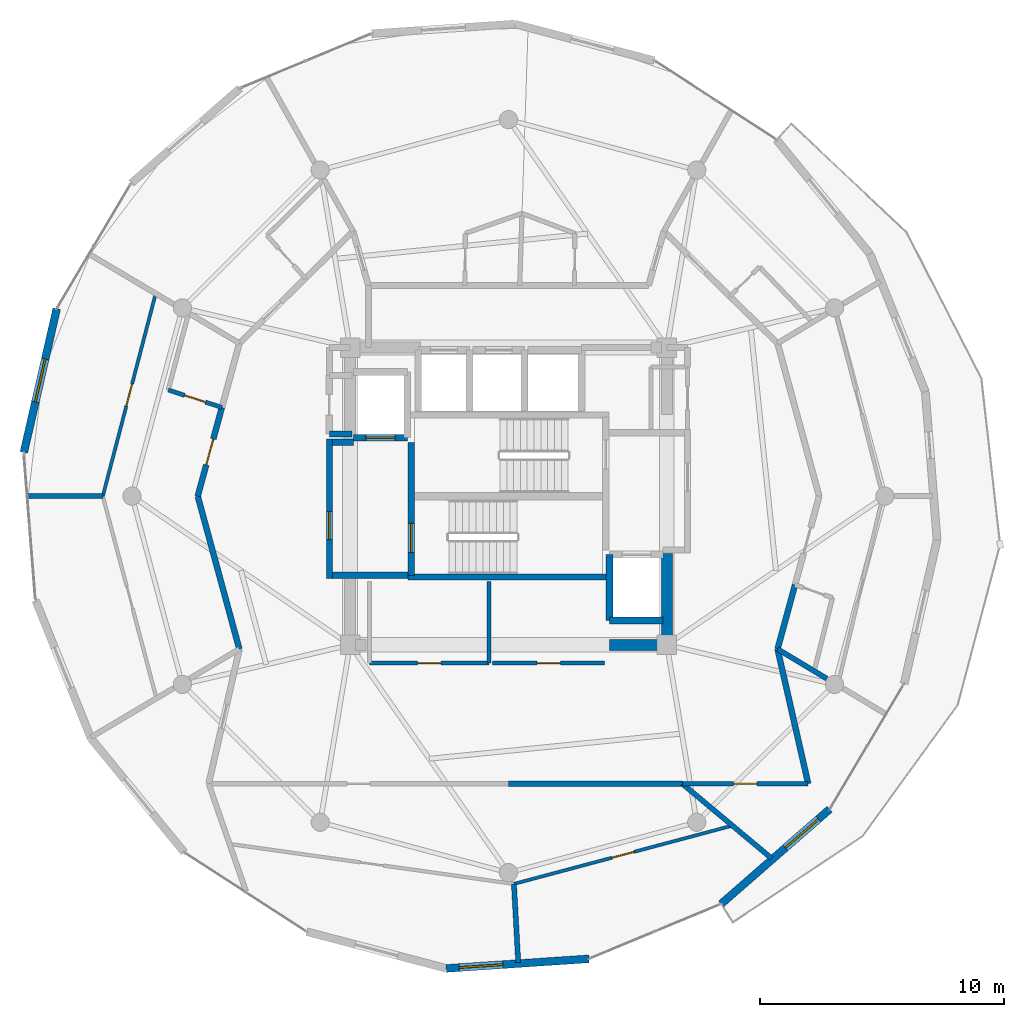
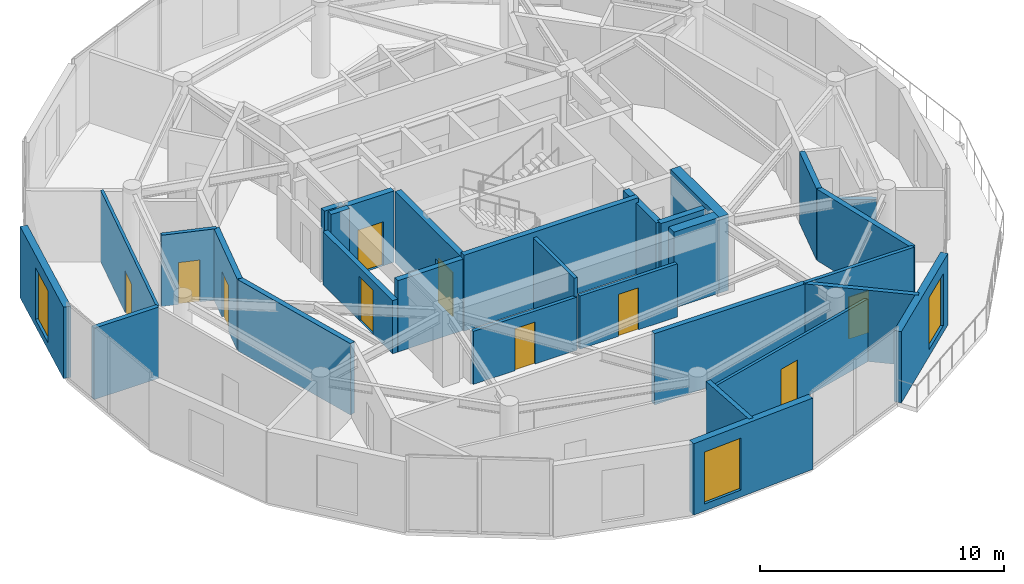
# One storey, part 17 of 22: 30 walls, 10 doors, 3 windows, 13 openings.
"""IFC4 building model written with IfcOpenShell, lengths in metres."""

from ifc_helpers import new_model, si_unit, direction, frame, frame_2d, origin, place, context, subcontext, project, spatial, rectangle, extrude, material, layer, layer_set, type_object, element, fill, save


model = new_model("IFC4")

# Units and contexts
model_context = context("Model", 3, precision=1e-05, world=origin(), true_north=direction((0.0, 1.0)))
body_context = subcontext(model_context, "Body", "Model", "MODEL_VIEW")
ifc_project = project(units=[si_unit("LENGTHUNIT", "METRE"), si_unit("AREAUNIT", "SQUARE_METRE"), si_unit("VOLUMEUNIT", "CUBIC_METRE"), si_unit("PLANEANGLEUNIT", "RADIAN"), si_unit("MASSUNIT", "GRAM", prefix="KILO")], contexts=[model_context])

# Site, building, storey
site_placement = place(None, origin())
site = spatial("IfcSite", under=ifc_project, at=site_placement, CompositionType="ELEMENT")
building_placement = place(site_placement, origin())
building = spatial("IfcBuilding", under=site, at=building_placement, Name="Solvirekh Grand Hotel", CompositionType="ELEMENT")
storey_placement = place(building_placement, frame((0.0, 0.0, 243.0)))
storey = spatial("IfcBuildingStorey", under=building, at=storey_placement, Name="L63", CompositionType="ELEMENT", Elevation=243.0)

# Wall
ifc_material_1 = material(Name="Concrete C50/60", Category="concrete")
ifc_layer_1 = layer(ifc_material_1, 0.35009765625)
ifc_layer_set_1 = layer_set([ifc_layer_1], Name="Concrete C50/60")
wall_type_1 = type_object("IfcWallType", Name="CoreDivWall_RC350", PredefinedType="SOLIDWALL", material=ifc_layer_set_1)
wall_1_placement = place(storey_placement, frame((-4.1298828125, -3.324951171875, 0.0), z_axis=(0.0, 0.0, 1.0), x_axis=(1.0, 0.0, 0.0)))
element("IfcWall", 1, at=wall_1_placement, inside=storey, type_object=wall_type_1, Name="L63 core stair box wall ST-S", PredefinedType="SOLIDWALL", context=body_context, shape_type="SweptSolid", body=[
    extrude(rectangle(XDim=8.259765625, YDim=0.25, at=frame_2d((4.1298828125, 0.0))), origin(), (0.0, 0.0, 1.0), 3.800048828125),
])

# Wall, opening, door
ifc_material_2 = material(Name="Concrete C40/50", Category="concrete")
ifc_layer_2 = layer(ifc_material_2, 0.280029296875)
ifc_layer_set_2 = layer_set([ifc_layer_2], Name="Concrete C40/50")
wall_type_2 = type_object("IfcWallType", Name="CoreShaftWall_RC280", PredefinedType="SOLIDWALL", material=ifc_layer_set_2)
wall_2_placement = place(storey_placement, frame((-6.35009765625, 2.39990234375, 0.0), z_axis=(0.0, 0.0, 1.0), x_axis=(1.0, 0.0, 0.0)))
wall_2 = element("IfcWall", 2, at=wall_2_placement, inside=storey, type_object=wall_type_2, Name="L63 FL-1 hoistway S wall", PredefinedType="SOLIDWALL", context=body_context, shape_type="SweptSolid", body=[
    extrude(rectangle(XDim=2.2001953125, YDim=0.280029296875, at=frame_2d((1.10009765625, 0.0))), origin(), (0.0, 0.0, 1.0), 3.570068359375),
])
opening_1_placement = place(wall_2_placement, frame((0.5, 0.0, 0.0)))
opening_1 = element("IfcOpeningElement", 3, at=opening_1_placement, cuts=wall_2, Name="Opening LD02", PredefinedType="OPENING", context=body_context, shape_type="SweptSolid", body=[
    extrude(rectangle(XDim=1.199951171875, YDim=2.199951171875, at=frame_2d((0.60009765625, 1.10009765625))), frame((0.0, 0.14990234375, 0.0), z_axis=(0.0, -1.0, 0.0), x_axis=(1.0, 0.0, 0.0)), (0.0, 0.0, 1.0), 0.300048828125),
])
ifc_material_3 = material(Name="Fire-Rated Steel Door Assembly", Category="steel")
door_type_1 = type_object("IfcDoorType", Name="Door_LiftFF_1200X2200", OperationType="SLIDING_TO_LEFT", PredefinedType="DOOR", material=ifc_material_3)
door_1_placement = place(opening_1_placement, origin())
door_1 = element("IfcDoor", 4, at=door_1_placement, inside=storey, type_object=door_type_1, Name="L63 FL-1 sliding lift landing door", OperationType="SLIDING_TO_LEFT", OverallHeight=2.199951171875, OverallWidth=1.199951171875, PredefinedType="DOOR", context=body_context, shape_type="SweptSolid", body=[
    extrude(rectangle(XDim=1.199951171875, YDim=2.199951171875, at=frame_2d((0.60009765625, 1.10009765625))), frame((0.0, 0.02490234375, 0.0), z_axis=(0.0, -1.0, 0.0), x_axis=(1.0, 0.0, 0.0)), (0.0, 0.0, 1.0), 0.050048828125),
])
fill(opening_1, door_1)

# Walls
wall_3_placement = place(storey_placement, frame((4.14990234375, -5.10009765625, 0.0), z_axis=(0.0, 0.0, 1.0), x_axis=(1.0, 0.0, 0.0)))
element("IfcWall", 5, at=wall_3_placement, inside=storey, type_object=wall_type_2, Name="L63 FL-2 hoistway S wall", PredefinedType="SOLIDWALL", context=body_context, shape_type="SweptSolid", body=[
    extrude(rectangle(XDim=2.2001953125, YDim=0.280029296875, at=frame_2d((1.10009765625, 0.0))), origin(), (0.0, 0.0, 1.0), 3.570068359375),
])
wall_4_placement = place(storey_placement, frame((4.14990234375, -2.39990234375, 0.0), z_axis=(0.0, 0.0, 1.0), x_axis=(0.0, -1.0, 0.0)))
element("IfcWall", 6, at=wall_4_placement, inside=storey, type_object=wall_type_2, Name="L63 FL-2 hoistway W wall", PredefinedType="SOLIDWALL", context=body_context, shape_type="SweptSolid", body=[
    extrude(rectangle(XDim=2.7001953125, YDim=0.280029296875, at=frame_2d((1.35009765625, 0.0))), origin(), (0.0, 0.0, 1.0), 3.570068359375),
])

# Wall, opening, door
wall_5_placement = place(storey_placement, frame((-3.989990234375, -3.25, 0.0), z_axis=(0.0, 0.0, 1.0), x_axis=(0.0, 1.0, 0.0)))
wall_5 = element("IfcWall", 7, at=wall_5_placement, inside=storey, type_object=wall_type_2, Name="L63 west stair landing enclosure wall", PredefinedType="SOLIDWALL", context=body_context, shape_type="SweptSolid", body=[
    extrude(rectangle(XDim=5.4599609375, YDim=0.280029296875, at=frame_2d((2.72998046875, 0.0))), origin(), (0.0, 0.0, 1.0), 3.570068359375),
])
opening_2_placement = place(wall_5_placement, frame((0.93701171875, 0.0, 0.0)))
opening_2 = element("IfcOpeningElement", 8, at=opening_2_placement, cuts=wall_5, Name="Opening D05", PredefinedType="OPENING", context=body_context, shape_type="SweptSolid", body=[
    extrude(rectangle(XDim=1.199951171875, YDim=2.199951171875, at=frame_2d((0.60009765625, 1.10009765625))), frame((0.0, 0.14990234375, 0.0), z_axis=(0.0, -1.0, 0.0), x_axis=(1.0, 0.0, 0.0)), (0.0, 0.0, 1.0), 0.300048828125),
])
door_type_2 = type_object("IfcDoorType", Name="Door_StairCore_1200X2200", OperationType="NOTDEFINED", PredefinedType="DOOR", material=ifc_material_3)
door_2_placement = place(opening_2_placement, origin())
door_2 = element("IfcDoor", 9, at=door_2_placement, inside=storey, type_object=door_type_2, Name="L63 exit stair ST-1 fire door", OperationType="SINGLE_SWING_LEFT", OverallHeight=2.199951171875, OverallWidth=1.199951171875, PredefinedType="DOOR", context=body_context, shape_type="SweptSolid", body=[
    extrude(rectangle(XDim=1.199951171875, YDim=2.199951171875, at=frame_2d((0.60009765625, 1.10009765625))), frame((0.0, 0.02490234375, 0.0), z_axis=(0.0, -1.0, 0.0), x_axis=(1.0, 0.0, 0.0)), (0.0, 0.0, 1.0), 0.050048828125),
])
fill(opening_2, door_2)

# Walls
ifc_layer_3 = layer(ifc_material_1, 0.449951171875)
ifc_layer_set_3 = layer_set([ifc_layer_3], Name="Concrete C50/60")
wall_type_3 = type_object("IfcWallType", Name="CoreWall_RC450", PredefinedType="SHEAR", material=ifc_layer_set_3)
wall_6_placement = place(storey_placement, frame((4.14990234375, -6.10009765625, 0.0), z_axis=(0.0, 0.0, 1.0), x_axis=(1.0, 0.0, 0.0)))
element("IfcWall", 10, at=wall_6_placement, inside=storey, type_object=wall_type_3, Name="L63 core corner shear wall SE-S", PredefinedType="SHEAR", context=body_context, shape_type="SweptSolid", body=[
    extrude(rectangle(XDim=2.125, YDim=0.449951171875, at=frame_2d((1.0625, 0.0))), origin(), (0.0, 0.0, 1.0), 3.800048828125),
])
wall_7_placement = place(storey_placement, frame((6.5, -6.324951171875, 0.0), z_axis=(0.0, 0.0, 1.0), x_axis=(0.0, 1.0, 0.0)))
element("IfcWall", 11, at=wall_7_placement, inside=storey, type_object=wall_type_3, Name="L63 core corner shear wall ES-E", PredefinedType="SHEAR", context=body_context, shape_type="SweptSolid", body=[
    extrude(rectangle(XDim=3.974853515625, YDim=0.449951171875, at=frame_2d((1.9873046875, 0.0))), origin(), (0.0, 0.0, 1.0), 3.800048828125),
])

# Wall, opening, window
ifc_material_4 = material(Name="Precast concrete C45/55", Category="concrete")
ifc_layer_4 = layer(ifc_material_4, 0.320068359375)
ifc_layer_set_4 = layer_set([ifc_layer_4], Name="Precast concrete C45/55")
wall_type_4 = type_object("IfcWallType", Name="ExtLobbyWall_RC320", PredefinedType="SOLIDWALL", material=ifc_layer_set_4)
wall_8_placement = place(storey_placement, frame((13.181884765625, -12.842041015625, 0.0), z_axis=(0.0, 0.0, 1.0), x_axis=(-0.753243589512, -0.657741662706, 0.0)))
wall_8 = element("IfcWall", 12, at=wall_8_placement, inside=storey, type_object=wall_type_4, Name="L63 exterior structural wall chord 2", PredefinedType="SOLIDWALL", context=body_context, shape_type="SweptSolid", body=[
    extrude(rectangle(XDim=5.91552734375, YDim=0.320068359375, at=frame_2d((2.957763671875, 0.0))), origin(), (0.0, 0.0, 1.0), 3.570068359375),
])
opening_3_placement = place(wall_8_placement, frame((0.612060546875, 0.0, 0.35009765625)))
opening_3 = element("IfcOpeningElement", 13, at=opening_3_placement, cuts=wall_8, Name="Opening W02", PredefinedType="OPENING", context=body_context, shape_type="SweptSolid", body=[
    extrude(rectangle(XDim=1.800048828125, YDim=2.60009765625, at=frame_2d((0.89990234375, 1.300048828125))), frame((0.0, 0.169921875, 0.0), z_axis=(0.0, -1.0, 0.0), x_axis=(1.0, 0.0, 0.0)), (0.0, 0.0, 1.0), 0.340087890625),
])
ifc_material_5 = material(Name="Low-E Tinted Bronze Laminated Glass", Category="aluminium")
window_type = type_object("IfcWindowType", Name="Win_LobbyExt_1800X2600", PartitioningType="SINGLE_PANEL", PredefinedType="WINDOW", material=ifc_material_5)
window_1_placement = place(opening_3_placement, origin())
window_1 = element("IfcWindow", 14, at=window_1_placement, inside=storey, type_object=window_type, Name="L63 panoramic bronze-framed window 2", OverallHeight=2.60009765625, OverallWidth=1.800048828125, PartitioningType="SINGLE_PANEL", PredefinedType="WINDOW", context=body_context, shape_type="SweptSolid", body=[
    extrude(rectangle(XDim=1.800048828125, YDim=2.60009765625, at=frame_2d((0.89990234375, 1.300048828125))), frame((0.0, 0.030029296875, 0.0), z_axis=(0.0, -1.0, 0.0), x_axis=(1.0, 0.0, 0.0)), (0.0, 0.0, 1.0), 0.06005859375),
])
fill(opening_3, window_1)

wall_9_placement = place(storey_placement, frame((-19.886962890625, 1.794921875, 0.0), z_axis=(0.0, 0.0, 1.0), x_axis=(0.223212485592, 0.974769811943, 0.0)))
wall_9 = element("IfcWall", 15, at=wall_9_placement, inside=storey, type_object=wall_type_4, Name="L63 exterior structural wall chord 14", PredefinedType="SOLIDWALL", context=body_context, shape_type="SweptSolid", body=[
    extrude(rectangle(XDim=6.052978515625, YDim=0.320068359375, at=frame_2d((3.0263671875, 0.0))), origin(), (0.0, 0.0, 1.0), 3.570068359375),
])
opening_4_placement = place(wall_9_placement, frame((2.1259765625, 0.0, 0.35009765625)))
opening_4 = element("IfcOpeningElement", 16, at=opening_4_placement, cuts=wall_9, Name="Opening W02", PredefinedType="OPENING", context=body_context, shape_type="SweptSolid", body=[
    extrude(rectangle(XDim=1.800048828125, YDim=2.60009765625, at=frame_2d((0.89990234375, 1.300048828125))), frame((0.0, 0.169921875, 0.0), z_axis=(0.0, -1.0, 0.0), x_axis=(1.0, 0.0, 0.0)), (0.0, 0.0, 1.0), 0.340087890625),
])
window_2_placement = place(opening_4_placement, origin())
window_2 = element("IfcWindow", 17, at=window_2_placement, inside=storey, type_object=window_type, Name="L63 panoramic bronze-framed window 14", OverallHeight=2.60009765625, OverallWidth=1.800048828125, PartitioningType="SINGLE_PANEL", PredefinedType="WINDOW", context=body_context, shape_type="SweptSolid", body=[
    extrude(rectangle(XDim=1.800048828125, YDim=2.60009765625, at=frame_2d((0.89990234375, 1.300048828125))), frame((0.0, 0.030029296875, 0.0), z_axis=(0.0, -1.0, 0.0), x_axis=(1.0, 0.0, 0.0)), (0.0, 0.0, 1.0), 0.06005859375),
])
fill(opening_4, window_2)

wall_10_placement = place(storey_placement, frame((3.302978515625, -18.985107421875, 0.0), z_axis=(0.0, 0.0, 1.0), x_axis=(-0.997748768453, -0.067062620365, 0.0)))
wall_10 = element("IfcWall", 18, at=wall_10_placement, inside=storey, type_object=wall_type_4, Name="L63 exterior structural wall chord 20", PredefinedType="SOLIDWALL", context=body_context, shape_type="SweptSolid", body=[
    extrude(rectangle(XDim=5.8720703125, YDim=0.320068359375, at=frame_2d((2.93603515625, 0.0))), origin(), (0.0, 0.0, 1.0), 3.570068359375),
])
opening_5_placement = place(wall_10_placement, frame((3.5390625, 0.0, 0.35009765625)))
opening_5 = element("IfcOpeningElement", 19, at=opening_5_placement, cuts=wall_10, Name="Opening W02", PredefinedType="OPENING", context=body_context, shape_type="SweptSolid", body=[
    extrude(rectangle(XDim=1.800048828125, YDim=2.60009765625, at=frame_2d((0.89990234375, 1.300048828125))), frame((0.0, 0.169921875, 0.0), z_axis=(0.0, -1.0, 0.0), x_axis=(1.0, 0.0, 0.0)), (0.0, 0.0, 1.0), 0.340087890625),
])
window_3_placement = place(opening_5_placement, origin())
window_3 = element("IfcWindow", 20, at=window_3_placement, inside=storey, type_object=window_type, Name="L63 panoramic bronze-framed window 20", OverallHeight=2.60009765625, OverallWidth=1.800048828125, PartitioningType="SINGLE_PANEL", PredefinedType="WINDOW", context=body_context, shape_type="SweptSolid", body=[
    extrude(rectangle(XDim=1.800048828125, YDim=2.60009765625, at=frame_2d((0.89990234375, 1.300048828125))), frame((0.0, 0.030029296875, 0.0), z_axis=(0.0, -1.0, 0.0), x_axis=(1.0, 0.0, 0.0)), (0.0, 0.0, 1.0), 0.06005859375),
])
fill(opening_5, window_3)

# Wall, opening, door
ifc_material_6 = material(Name="Acoustic Gypsum Partition Assembly")
ifc_layer_5 = layer(ifc_material_6, 0.1650390625)
ifc_layer_set_5 = layer_set([ifc_layer_5], Name="Acoustic Gypsum Partition Assembly")
wall_type_5 = type_object("IfcWallType", Name="Part_BOH_165", PredefinedType="PARTITIONING", material=ifc_layer_set_5)
wall_11_placement = place(storey_placement, frame((-5.699951171875, -6.85009765625, 0.0), z_axis=(0.0, 0.0, 1.0), x_axis=(1.0, 0.0, 0.0)))
wall_11 = element("IfcWall", 21, at=wall_11_placement, inside=storey, type_object=wall_type_5, Name="L63 High-Zone Housekeeping Linen Room wall 1", PredefinedType="PARTITIONING", context=body_context, shape_type="SweptSolid", body=[
    extrude(rectangle(XDim=4.89990234375, YDim=0.1650390625, at=frame_2d((2.449951171875, 0.0))), origin(), (0.0, 0.0, 1.0), 2.655029296875),
])
opening_6_placement = place(wall_11_placement, frame((1.97509765625, 0.0, 0.0)))
opening_6 = element("IfcOpeningElement", 22, at=opening_6_placement, cuts=wall_11, Name="Opening D10", PredefinedType="OPENING", context=body_context, shape_type="SweptSolid", body=[
    extrude(rectangle(XDim=0.949951171875, YDim=2.10009765625, at=frame_2d((0.47509765625, 1.050048828125))), frame((0.0, 0.092529296875, 0.0), z_axis=(0.0, -1.0, 0.0), x_axis=(1.0, 0.0, 0.0)), (0.0, 0.0, 1.0), 0.18505859375),
])
ifc_material_7 = material(Name="Anodized Bronze Aluminium 6063-T6", Category="aluminium")
door_type_3 = type_object("IfcDoorType", Name="Door_RoomInt_950X2100", OperationType="NOTDEFINED", PredefinedType="DOOR", material=ifc_material_7)
door_3_placement = place(opening_6_placement, origin())
door_3 = element("IfcDoor", 23, at=door_3_placement, inside=storey, type_object=door_type_3, Name="L63 High-Zone Housekeeping Linen Room door", OperationType="SINGLE_SWING_LEFT", OverallHeight=2.10009765625, OverallWidth=0.949951171875, PredefinedType="DOOR", context=body_context, shape_type="SweptSolid", body=[
    extrude(rectangle(XDim=0.949951171875, YDim=2.10009765625, at=frame_2d((0.47509765625, 1.050048828125))), frame((0.0, 0.02490234375, 0.0), z_axis=(0.0, -1.0, 0.0), x_axis=(1.0, 0.0, 0.0)), (0.0, 0.0, 1.0), 0.050048828125),
])
fill(opening_6, door_3)

# Wall
wall_12_placement = place(storey_placement, frame((-0.800048828125, -6.85009765625, 0.0), z_axis=(0.0, 0.0, 1.0), x_axis=(0.0, 1.0, 0.0)))
element("IfcWall", 24, at=wall_12_placement, inside=storey, type_object=wall_type_5, Name="L63 High-Zone Housekeeping Linen Room wall 2", PredefinedType="PARTITIONING", context=body_context, shape_type="SweptSolid", body=[
    extrude(rectangle(XDim=3.35009765625, YDim=0.1650390625, at=frame_2d((1.675048828125, 0.0))), origin(), (0.0, 0.0, 1.0), 3.570068359375),
])

# Wall, opening, door
wall_13_placement = place(storey_placement, frame((-0.64990234375, -6.85009765625, 0.0), z_axis=(0.0, 0.0, 1.0), x_axis=(1.0, 0.0, 0.0)))
wall_13 = element("IfcWall", 25, at=wall_13_placement, inside=storey, type_object=wall_type_5, Name="L63 Butler Valet Steward Room wall 1", PredefinedType="PARTITIONING", context=body_context, shape_type="SweptSolid", body=[
    extrude(rectangle(XDim=4.599853515625, YDim=0.1650390625, at=frame_2d((2.2998046875, 0.0))), origin(), (0.0, 0.0, 1.0), 2.655029296875),
])
opening_7_placement = place(wall_13_placement, frame((1.824951171875, 0.0, 0.0)))
opening_7 = element("IfcOpeningElement", 26, at=opening_7_placement, cuts=wall_13, Name="Opening D10", PredefinedType="OPENING", context=body_context, shape_type="SweptSolid", body=[
    extrude(rectangle(XDim=0.949951171875, YDim=2.10009765625, at=frame_2d((0.47509765625, 1.050048828125))), frame((0.0, 0.092529296875, 0.0), z_axis=(0.0, -1.0, 0.0), x_axis=(1.0, 0.0, 0.0)), (0.0, 0.0, 1.0), 0.18505859375),
])
door_4_placement = place(opening_7_placement, origin())
door_4 = element("IfcDoor", 27, at=door_4_placement, inside=storey, type_object=door_type_3, Name="L63 Butler Valet Steward Room door", OperationType="SINGLE_SWING_RIGHT", OverallHeight=2.10009765625, OverallWidth=0.949951171875, PredefinedType="DOOR", context=body_context, shape_type="SweptSolid", body=[
    extrude(rectangle(XDim=0.949951171875, YDim=2.10009765625, at=frame_2d((0.47509765625, 1.050048828125))), frame((0.0, 0.02490234375, 0.0), z_axis=(0.0, -1.0, 0.0), x_axis=(1.0, 0.0, 0.0)), (0.0, 0.0, 1.0), 0.050048828125),
])
fill(opening_7, door_4)

wall_14_placement = place(storey_placement, frame((7.134033203125, -11.800048828125, 0.0), z_axis=(0.0, 0.0, 1.0), x_axis=(1.0, 0.0, 0.0)))
wall_14 = element("IfcWall", 28, at=wall_14_placement, inside=storey, type_object=wall_type_5, Name="L63 L63 Butler Valet & Linen Steward Room entrance wall", PredefinedType="PARTITIONING", context=body_context, shape_type="SweptSolid", body=[
    extrude(rectangle(XDim=5.166015625, YDim=0.1650390625, at=frame_2d((2.5830078125, 0.0))), origin(), (0.0, 0.0, 1.0), 3.570068359375),
])
opening_8_placement = place(wall_14_placement, frame((2.10791015625, 0.0, 0.0)))
opening_8 = element("IfcOpeningElement", 29, at=opening_8_placement, cuts=wall_14, Name="Opening D10", PredefinedType="OPENING", context=body_context, shape_type="SweptSolid", body=[
    extrude(rectangle(XDim=0.949951171875, YDim=2.10009765625, at=frame_2d((0.47509765625, 1.050048828125))), frame((0.0, 0.092529296875, 0.0), z_axis=(0.0, -1.0, 0.0), x_axis=(1.0, 0.0, 0.0)), (0.0, 0.0, 1.0), 0.18505859375),
])
door_5_placement = place(opening_8_placement, origin())
door_5 = element("IfcDoor", 30, at=door_5_placement, inside=storey, type_object=door_type_3, Name="L63 L63 Butler Valet & Linen Steward Room entrance door", OperationType="SINGLE_SWING_LEFT", OverallHeight=2.10009765625, OverallWidth=0.949951171875, PredefinedType="DOOR", context=body_context, shape_type="SweptSolid", body=[
    extrude(rectangle(XDim=0.949951171875, YDim=2.10009765625, at=frame_2d((0.47509765625, 1.050048828125))), frame((0.0, 0.02490234375, 0.0), z_axis=(0.0, -1.0, 0.0), x_axis=(1.0, 0.0, 0.0)), (0.0, 0.0, 1.0), 0.050048828125),
])
fill(opening_8, door_5)

ifc_layer_6 = layer(ifc_material_6, 0.239990234375)
ifc_layer_set_6 = layer_set([ifc_layer_6], Name="Acoustic Gypsum Partition Assembly")
wall_type_6 = type_object("IfcWallType", Name="Part_Corridor_240", PredefinedType="PARTITIONING", material=ifc_layer_set_6)
wall_15_placement = place(storey_placement, frame((-7.35009765625, -3.3798828125, 0.0), z_axis=(0.0, 0.0, 1.0), x_axis=(0.0, 1.0, 0.0)))
wall_15 = element("IfcWall", 31, at=wall_15_placement, inside=storey, type_object=wall_type_6, Name="L63 west firefighting lobby smoke screen wall", PredefinedType="PARTITIONING", context=body_context, shape_type="SweptSolid", body=[
    extrude(rectangle(XDim=5.719970703125, YDim=0.239990234375, at=frame_2d((2.85986328125, 0.0))), origin(), (0.0, 0.0, 1.0), 2.655029296875),
])
opening_9_placement = place(wall_15_placement, frame((1.59912109375, 0.0, 0.0)))
opening_9 = element("IfcOpeningElement", 32, at=opening_9_placement, cuts=wall_15, Name="Opening D06", PredefinedType="OPENING", context=body_context, shape_type="SweptSolid", body=[
    extrude(rectangle(XDim=1.14990234375, YDim=2.199951171875, at=frame_2d((0.574951171875, 1.10009765625))), frame((0.0, 0.1298828125, 0.0), z_axis=(0.0, -1.0, 0.0), x_axis=(1.0, 0.0, 0.0)), (0.0, 0.0, 1.0), 0.260009765625),
])
door_type_4 = type_object("IfcDoorType", Name="Door_FFLobby_1150X2200", OperationType="NOTDEFINED", PredefinedType="DOOR", material=ifc_material_3)
door_6_placement = place(opening_9_placement, origin())
door_6 = element("IfcDoor", 33, at=door_6_placement, inside=storey, type_object=door_type_4, Name="L63 west firefighting lobby smoke door", OperationType="SINGLE_SWING_LEFT", OverallHeight=2.199951171875, OverallWidth=1.14990234375, PredefinedType="DOOR", context=body_context, shape_type="SweptSolid", body=[
    extrude(rectangle(XDim=1.14990234375, YDim=2.199951171875, at=frame_2d((0.574951171875, 1.10009765625))), frame((0.0, 0.02490234375, 0.0), z_axis=(0.0, -1.0, 0.0), x_axis=(1.0, 0.0, 0.0)), (0.0, 0.0, 1.0), 0.050048828125),
])
fill(opening_9, door_6)

# Wall
wall_16_placement = place(storey_placement, frame((-12.75, 0.0, 0.0), z_axis=(0.0, 0.0, 1.0), x_axis=(0.262640884433, -0.964893655189, 0.0)))
element("IfcWall", 34, at=wall_16_placement, inside=storey, type_object=wall_type_6, Name="L63 Executive Suite 6504 Living Room corridor wall 1", PredefinedType="PARTITIONING", context=body_context, shape_type="SweptSolid", body=[
    extrude(rectangle(XDim=6.503173828125, YDim=0.239990234375, at=frame_2d((3.25146484375, 0.0))), origin(), (0.0, 0.0, 1.0), 3.570068359375),
])

# Wall, opening, door
wall_17_placement = place(storey_placement, frame((-11.759033203125, 3.639892578125, 0.0), z_axis=(0.0, 0.0, 1.0), x_axis=(-0.2626902414, -0.964880219029, 0.0)))
wall_17 = element("IfcWall", 35, at=wall_17_placement, inside=storey, type_object=wall_type_6, Name="L63 Executive Suite 6504 Living Room entrance wall", PredefinedType="PARTITIONING", context=body_context, shape_type="SweptSolid", body=[
    extrude(rectangle(XDim=3.7724609375, YDim=0.239990234375, at=frame_2d((1.88623046875, 0.0))), origin(), (0.0, 0.0, 1.0), 3.570068359375),
])
opening_10_placement = place(wall_17_placement, frame((1.3359375, 0.0, 0.0)))
opening_10 = element("IfcOpeningElement", 36, at=opening_10_placement, cuts=wall_17, Name="Opening D08", PredefinedType="OPENING", context=body_context, shape_type="SweptSolid", body=[
    extrude(rectangle(XDim=1.10009765625, YDim=2.300048828125, at=frame_2d((0.550048828125, 1.14990234375))), frame((0.0, 0.1298828125, 0.0), z_axis=(0.0, -1.0, 0.0), x_axis=(1.0, 0.0, 0.0)), (0.0, 0.0, 1.0), 0.260009765625),
])
door_type_5 = type_object("IfcDoorType", Name="Door_SuiteEntry_1100X2300", OperationType="NOTDEFINED", PredefinedType="DOOR", material=ifc_material_3)
door_7_placement = place(opening_10_placement, origin())
door_7 = element("IfcDoor", 37, at=door_7_placement, inside=storey, type_object=door_type_5, Name="L63 Executive Suite 6504 Living Room entrance door", OperationType="SINGLE_SWING_RIGHT", OverallHeight=2.300048828125, OverallWidth=1.10009765625, PredefinedType="DOOR", context=body_context, shape_type="SweptSolid", body=[
    extrude(rectangle(XDim=1.10009765625, YDim=2.300048828125, at=frame_2d((0.550048828125, 1.14990234375))), frame((0.0, 0.02490234375, 0.0), z_axis=(0.0, -1.0, 0.0), x_axis=(1.0, 0.0, 0.0)), (0.0, 0.0, 1.0), 0.050048828125),
])
fill(opening_10, door_7)

# Walls
wall_18_placement = place(storey_placement, frame((11.0419921875, -6.27490234375, 0.0), z_axis=(0.0, 0.0, 1.0), x_axis=(0.262572701387, 0.964912211803, 0.0)))
element("IfcWall", 38, at=wall_18_placement, inside=storey, type_object=wall_type_6, Name="L63 En-suite Bathroom 6505 corridor backing wall", PredefinedType="PARTITIONING", context=body_context, shape_type="SweptSolid", body=[
    extrude(rectangle(XDim=2.730712890625, YDim=0.239990234375, at=frame_2d((1.365234375, 0.0))), origin(), (0.0, 0.0, 1.0), 3.570068359375),
])
wall_19_placement = place(storey_placement, frame((0.0, -11.800048828125, 0.0), z_axis=(0.0, 0.0, 1.0), x_axis=(1.0, 0.0, 0.0)))
element("IfcWall", 39, at=wall_19_placement, inside=storey, type_object=wall_type_6, Name="L63 L63 Sky Club Reading Lounge corridor wall 1", PredefinedType="PARTITIONING", context=body_context, shape_type="SweptSolid", body=[
    extrude(rectangle(XDim=7.134033203125, YDim=0.239990234375, at=frame_2d((3.56689453125, 0.0))), origin(), (0.0, 0.0, 1.0), 3.570068359375),
])
wall_20_placement = place(storey_placement, frame((12.300048828125, -11.800048828125, 0.0), z_axis=(0.0, 0.0, 1.0), x_axis=(-0.222014008723, 0.975043475918, 0.0)))
element("IfcWall", 40, at=wall_20_placement, inside=storey, type_object=wall_type_6, Name="L63 L63 Butler Valet & Linen Steward Room corridor wall 1", PredefinedType="PARTITIONING", context=body_context, shape_type="SweptSolid", body=[
    extrude(rectangle(XDim=5.66650390625, YDim=0.239990234375, at=frame_2d((2.833251953125, 0.0))), origin(), (0.0, 0.0, 1.0), 3.570068359375),
])
ifc_layer_7 = layer(ifc_material_6, 0.260009765625)
ifc_layer_set_7 = layer_set([ifc_layer_7], Name="Acoustic Gypsum Partition Assembly")
wall_type_7 = type_object("IfcWallType", Name="Part_LobbyFF_260", PredefinedType="PARTITIONING", material=ifc_layer_set_7)
wall_21_placement = place(storey_placement, frame((-7.22509765625, -3.25, 0.0), z_axis=(0.0, 0.0, 1.0), x_axis=(1.0, 0.0, 0.0)))
element("IfcWall", 41, at=wall_21_placement, inside=storey, type_object=wall_type_7, Name="L63 west firefighting lobby south partition", PredefinedType="PARTITIONING", context=body_context, shape_type="SweptSolid", body=[
    extrude(rectangle(XDim=3.09521484375, YDim=0.260009765625, at=frame_2d((1.547607421875, 0.0))), origin(), (0.0, 0.0, 1.0), 3.570068359375),
])
wall_22_placement = place(storey_placement, frame((-7.22509765625, 2.2099609375, 0.0), z_axis=(0.0, 0.0, 1.0), x_axis=(1.0, 0.0, 0.0)))
element("IfcWall", 42, at=wall_22_placement, inside=storey, type_object=wall_type_7, Name="L63 west firefighting lobby NW cheek", PredefinedType="PARTITIONING", context=body_context, shape_type="SweptSolid", body=[
    extrude(rectangle(XDim=0.875, YDim=0.260009765625, at=frame_2d((0.4375, 0.0))), origin(), (0.0, 0.0, 1.0), 3.570068359375),
])
wall_23_placement = place(storey_placement, frame((-7.35009765625, 2.550048828125, 0.0), z_axis=(0.0, 0.0, 1.0), x_axis=(1.0, 0.0, 0.0)))
element("IfcWall", 43, at=wall_23_placement, inside=storey, type_object=wall_type_7, Name="L63 NW telecom metering cupboard south wall", PredefinedType="PARTITIONING", context=body_context, shape_type="SweptSolid", body=[
    extrude(rectangle(XDim=0.93017578125, YDim=0.260009765625, at=frame_2d((0.465087890625, 0.0))), origin(), (0.0, 0.0, 1.0), 3.570068359375),
])

# Wall, opening, door
ifc_layer_8 = layer(ifc_material_6, 0.135009765625)
ifc_layer_set_8 = layer_set([ifc_layer_8], Name="Acoustic Gypsum Partition Assembly")
wall_type_8 = type_object("IfcWallType", Name="Part_RoomInt_135", PredefinedType="PARTITIONING", material=ifc_layer_set_8)
wall_24_placement = place(storey_placement, frame((-14.47509765625, 8.31298828125, 0.0), z_axis=(0.0, 0.0, 1.0), x_axis=(-0.252565334536, -0.967579842592, 0.0)))
wall_24 = element("IfcWall", 44, at=wall_24_placement, inside=storey, type_object=wall_type_8, Name="L63 Executive Suite 6504 Living Room bedroom screen wall", PredefinedType="PARTITIONING", context=body_context, shape_type="SweptSolid", body=[
    extrude(rectangle(XDim=8.591552734375, YDim=0.135009765625, at=frame_2d((4.2958984375, 0.0))), origin(), (0.0, 0.0, 1.0), 3.570068359375),
])
opening_11_placement = place(wall_24_placement, frame((3.821044921875, 0.0, 0.0)))
opening_11 = element("IfcOpeningElement", 45, at=opening_11_placement, cuts=wall_24, Name="Opening D10", PredefinedType="OPENING", context=body_context, shape_type="SweptSolid", body=[
    extrude(rectangle(XDim=0.949951171875, YDim=2.10009765625, at=frame_2d((0.47509765625, 1.050048828125))), frame((0.0, 0.07763671875, 0.0), z_axis=(0.0, -1.0, 0.0), x_axis=(1.0, 0.0, 0.0)), (0.0, 0.0, 1.0), 0.155029296875),
])
door_8_placement = place(opening_11_placement, origin())
door_8 = element("IfcDoor", 46, at=door_8_placement, inside=storey, type_object=door_type_3, Name="L63 Executive Suite 6504 Living Room master bedroom door", OperationType="SINGLE_SWING_LEFT", OverallHeight=2.10009765625, OverallWidth=0.949951171875, PredefinedType="DOOR", context=body_context, shape_type="SweptSolid", body=[
    extrude(rectangle(XDim=0.949951171875, YDim=2.10009765625, at=frame_2d((0.47509765625, 1.050048828125))), frame((0.0, 0.02490234375, 0.0), z_axis=(0.0, -1.0, 0.0), x_axis=(1.0, 0.0, 0.0)), (0.0, 0.0, 1.0), 0.050048828125),
])
fill(opening_11, door_8)

wall_25_placement = place(storey_placement, frame((0.22509765625, -15.909912109375, 0.0), z_axis=(0.0, 0.0, 1.0), x_axis=(0.966188184598, 0.25783791797, 0.0)))
wall_25 = element("IfcWall", 47, at=wall_25_placement, inside=storey, type_object=wall_type_8, Name="L63 L63 Riverfront Tea Belvedere bedroom screen wall", PredefinedType="PARTITIONING", context=body_context, shape_type="SweptSolid", body=[
    extrude(rectangle(XDim=9.276611328125, YDim=0.135009765625, at=frame_2d((4.63818359375, 0.0))), origin(), (0.0, 0.0, 1.0), 3.138916015625),
])
opening_12_placement = place(wall_25_placement, frame((4.1630859375, 0.0, 0.0)))
opening_12 = element("IfcOpeningElement", 48, at=opening_12_placement, cuts=wall_25, Name="Opening D10", PredefinedType="OPENING", context=body_context, shape_type="SweptSolid", body=[
    extrude(rectangle(XDim=0.949951171875, YDim=2.10009765625, at=frame_2d((0.47509765625, 1.050048828125))), frame((0.0, 0.07763671875, 0.0), z_axis=(0.0, -1.0, 0.0), x_axis=(1.0, 0.0, 0.0)), (0.0, 0.0, 1.0), 0.155029296875),
])
door_9_placement = place(opening_12_placement, origin())
door_9 = element("IfcDoor", 49, at=door_9_placement, inside=storey, type_object=door_type_3, Name="L63 L63 Riverfront Tea Belvedere master bedroom door", OperationType="SINGLE_SWING_RIGHT", OverallHeight=2.10009765625, OverallWidth=0.949951171875, PredefinedType="DOOR", context=body_context, shape_type="SweptSolid", body=[
    extrude(rectangle(XDim=0.949951171875, YDim=2.10009765625, at=frame_2d((0.47509765625, 1.050048828125))), frame((0.0, 0.02490234375, 0.0), z_axis=(0.0, -1.0, 0.0), x_axis=(1.0, 0.0, 0.0)), (0.0, 0.0, 1.0), 0.050048828125),
])
fill(opening_12, door_9)

# Walls
ifc_layer_9 = layer(ifc_material_6, 0.2099609375)
ifc_layer_set_9 = layer_set([ifc_layer_9], Name="Acoustic Gypsum Partition Assembly")
wall_type_9 = type_object("IfcWallType", Name="Part_SuiteDemise_210", PredefinedType="PARTITIONING", material=ifc_layer_set_9)
wall_26_placement = place(storey_placement, frame((11.0419921875, -6.27490234375, 0.0), z_axis=(0.0, 0.0, 1.0), x_axis=(0.857502061287, -0.514480529164, 0.0)))
element("IfcWall", 50, at=wall_26_placement, inside=storey, type_object=wall_type_9, Name="L63 suite radial wall 12 (A)", PredefinedType="PARTITIONING", context=body_context, shape_type="SweptSolid", body=[
    extrude(rectangle(XDim=2.35791015625, YDim=0.2099609375, at=frame_2d((1.178955078125, 0.0))), origin(), (0.0, 0.0, 1.0), 3.0859375),
])
wall_27_placement = place(storey_placement, frame((-16.64501953125, 0.0, 0.0), z_axis=(0.0, 0.0, 1.0), x_axis=(-1.0, 0.0, 0.0)))
element("IfcWall", 51, at=wall_27_placement, inside=storey, type_object=wall_type_9, Name="L63 Executive Suite 6504 Living Room dividing partition 1", PredefinedType="PARTITIONING", context=body_context, shape_type="SweptSolid", body=[
    extrude(rectangle(XDim=3.06005859375, YDim=0.2099609375, at=frame_2d((1.530029296875, 0.0))), origin(), (0.0, 0.0, 1.0), 3.570068359375),
])
wall_28_placement = place(storey_placement, frame((7.134033203125, -11.800048828125, 0.0), z_axis=(0.0, 0.0, 1.0), x_axis=(0.767165499913, -0.641449215249, 0.0)))
element("IfcWall", 52, at=wall_28_placement, inside=storey, type_object=wall_type_9, Name="L63 L63 Sky Club Reading Lounge dividing partition 1", PredefinedType="PARTITIONING", context=body_context, shape_type="SweptSolid", body=[
    extrude(rectangle(XDim=4.78125, YDim=0.2099609375, at=frame_2d((2.390625, 0.0))), origin(), (0.0, 0.0, 1.0), 3.570068359375),
])
wall_29_placement = place(storey_placement, frame((0.22509765625, -15.909912109375, 0.0), z_axis=(0.0, 0.0, 1.0), x_axis=(0.054341356021, -0.998522416887, 0.0)))
element("IfcWall", 53, at=wall_29_placement, inside=storey, type_object=wall_type_9, Name="L63 L63 South Horizon Conservatory dividing partition 1", PredefinedType="PARTITIONING", context=body_context, shape_type="SweptSolid", body=[
    extrude(rectangle(XDim=3.23486328125, YDim=0.2099609375, at=frame_2d((1.617431640625, 0.0))), origin(), (0.0, 0.0, 1.0), 3.570068359375),
])

# Wall, opening, door
ifc_layer_10 = layer(ifc_material_6, 0.175048828125)
ifc_layer_set_10 = layer_set([ifc_layer_10], Name="Acoustic Gypsum Partition Assembly")
wall_type_10 = type_object("IfcWallType", Name="Plumb_Ensuite_175", PredefinedType="PLUMBINGWALL", material=ifc_layer_set_10)
wall_30_placement = place(storey_placement, frame((-11.759033203125, 3.639892578125, 0.0), z_axis=(0.0, 0.0, 1.0), x_axis=(-0.950729164037, 0.310022671187, 0.0)))
wall_30 = element("IfcWall", 54, at=wall_30_placement, inside=storey, type_object=wall_type_10, Name="L63 En-suite Bathroom 6504 entry plumbing wall", PredefinedType="PLUMBINGWALL", context=body_context, shape_type="SweptSolid", body=[
    extrude(rectangle(XDim=2.31591796875, YDim=0.175048828125, at=frame_2d((1.157958984375, 0.0))), origin(), (0.0, 0.0, 1.0), 3.570068359375),
])
opening_13_placement = place(wall_30_placement, frame((0.7080078125, 0.0, 0.0)))
opening_13 = element("IfcOpeningElement", 55, at=opening_13_placement, cuts=wall_30, Name="Opening D09", PredefinedType="OPENING", context=body_context, shape_type="SweptSolid", body=[
    extrude(rectangle(XDim=0.89990234375, YDim=2.10009765625, at=frame_2d((0.449951171875, 1.050048828125))), frame((0.0, 0.09765625, 0.0), z_axis=(0.0, -1.0, 0.0), x_axis=(1.0, 0.0, 0.0)), (0.0, 0.0, 1.0), 0.195068359375),
])
door_type_6 = type_object("IfcDoorType", Name="Door_Ensuite_900X2100", OperationType="NOTDEFINED", PredefinedType="DOOR", material=ifc_material_7)
door_10_placement = place(opening_13_placement, origin())
door_10 = element("IfcDoor", 56, at=door_10_placement, inside=storey, type_object=door_type_6, Name="L63 En-suite Bathroom 6504 door", OperationType="SINGLE_SWING_LEFT", OverallHeight=2.10009765625, OverallWidth=0.89990234375, PredefinedType="DOOR", context=body_context, shape_type="SweptSolid", body=[
    extrude(rectangle(XDim=0.89990234375, YDim=2.10009765625, at=frame_2d((0.449951171875, 1.050048828125))), frame((0.0, 0.02490234375, 0.0), z_axis=(0.0, -1.0, 0.0), x_axis=(1.0, 0.0, 0.0)), (0.0, 0.0, 1.0), 0.050048828125),
])
fill(opening_13, door_10)

save(model, "model.ifc")
